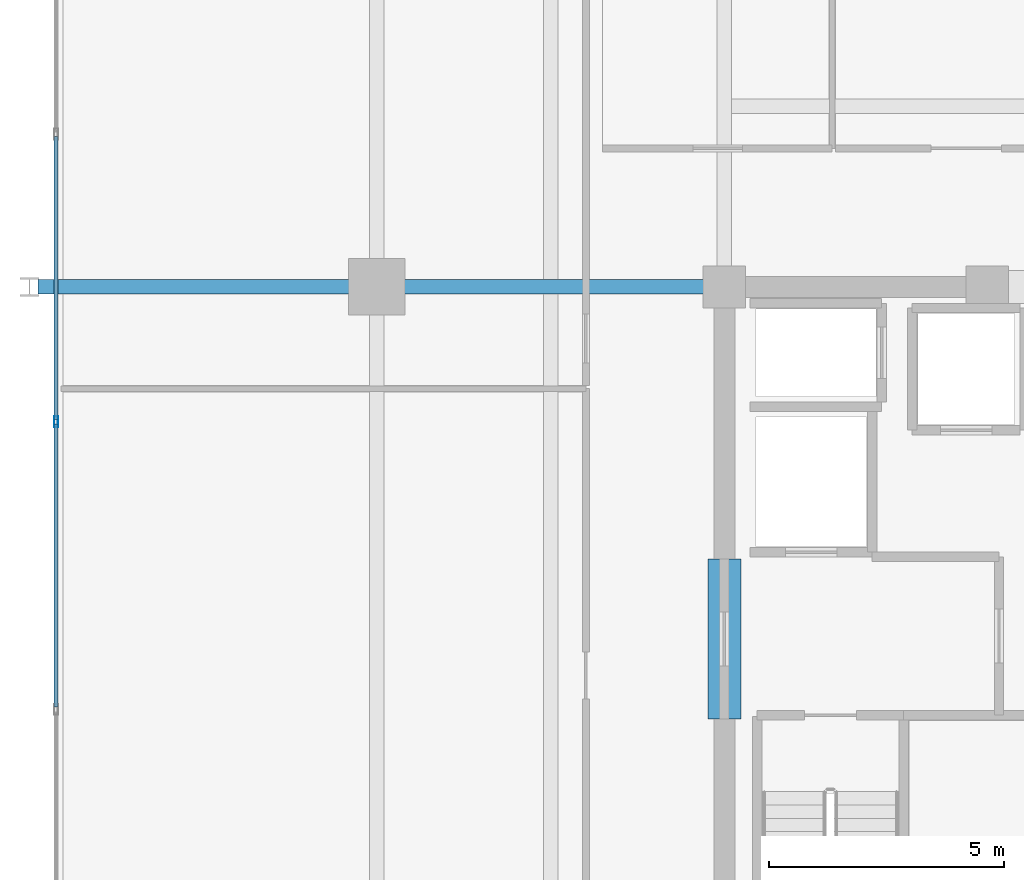
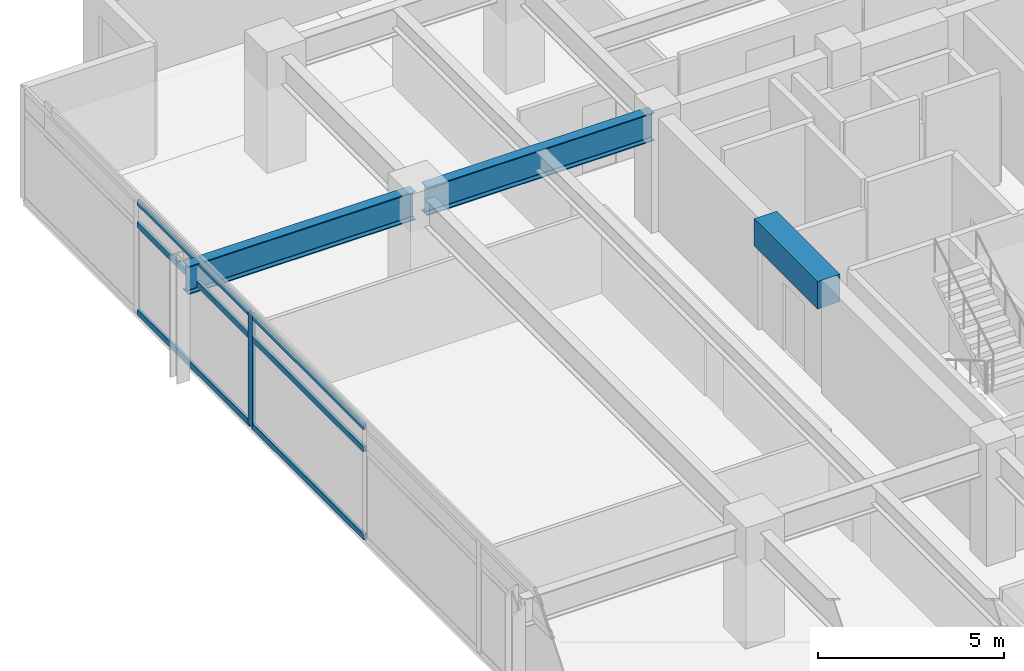
# One storey, part 7 of 20: 7 members, 3 beams, 1 element without a shape of its own.
"""IFC4 building model written with IfcOpenShell, lengths in metres."""

from ifc_helpers import new_model, si_unit, direction, frame, origin, origin_2d, place, context, subcontext, project, spatial, rectangle, hollow_rectangle, i_section, extrude, material, material_profile, profile_set, type_object, element, aggregate, save


model = new_model("IFC4")

# Units and contexts
model_context = context("Model", 3, precision=1e-05, world=origin(), true_north=direction((0.0, 1.0)))
body_context = subcontext(model_context, "Body", "Model", "MODEL_VIEW")
ifc_project = project(units=[si_unit("LENGTHUNIT", "METRE"), si_unit("AREAUNIT", "SQUARE_METRE"), si_unit("VOLUMEUNIT", "CUBIC_METRE"), si_unit("PLANEANGLEUNIT", "RADIAN"), si_unit("MASSUNIT", "GRAM", prefix="KILO")], contexts=[model_context])

# Site, building, storey
site_placement = place(None, origin())
site = spatial("IfcSite", under=ifc_project, at=site_placement, CompositionType="ELEMENT")
building_placement = place(site_placement, origin())
building = spatial("IfcBuilding", under=site, at=building_placement, Name="Kovane Verandah Tower", CompositionType="ELEMENT")
storey_placement = place(building_placement, frame((0.0, 0.0, 291.199951171875)))
storey = spatial("IfcBuildingStorey", under=building, at=storey_placement, Name="L68", CompositionType="ELEMENT", Elevation=291.199951171875)

# Beams
ifc_material_1 = material(Name="Concrete C60/75", Category="concrete")
ifc_material_profile_1 = material_profile(ifc_material_1, rectangle(XDim=0.699951171875, YDim=0.89990234375, at=origin_2d()), Name="RCB700x900")
ifc_profile_set_1 = profile_set([ifc_material_profile_1], Name="Concrete C60/75")
beam_type_1 = type_object("IfcBeamType", Name="BM-LINTEL-700x900", PredefinedType="LINTEL", material=ifc_profile_set_1)
beam_placement = place(storey_placement, frame((29.0, 27.300048828125, 3.25), z_axis=(0.0, 1.0, 0.0), x_axis=(-1.0, 0.0, 0.0)))
element("IfcBeam", 1, at=beam_placement, inside=storey, type_object=beam_type_1, Name="L68 Core Coupling Lintel CL-W", PredefinedType="LINTEL", context=body_context, shape_type="SweptSolid", body=[
    extrude(rectangle(XDim=0.699951171875, YDim=0.89990234375, at=origin_2d()), origin(), (0.0, 0.0, 1.0), 3.39990234375),
])
ifc_material_2 = material(Name="Steel S460", Category="steel")
ifc_material_profile_2 = material_profile(ifc_material_2, i_section(OverallWidth=0.3076171875, OverallDepth=0.926513671875, WebThickness=0.01953125, FlangeThickness=0.031982421875, FilletRadius=0.01904296875, at=origin_2d()), Name="UB914x305x289")
ifc_profile_set_2 = profile_set([ifc_material_profile_2], Name="Steel S460")
beam_type_2 = type_object("IfcBeamType", Name="BM-UB914x289", PredefinedType="BEAM", material=ifc_profile_set_2)
for number, where, z_axis, x_axis, name in (
    (2, (28.820068359375, 36.5, 3.23681640625), (-1.0, 0.0, 0.0), (0.0, -1.0, 0.0), "L68 Primary Tower Girder G-W2"),
    (3, (21.419921875, 36.5, 3.23681640625), (-1.0, 0.0, 0.0), (0.0, -1.0, 0.0), "L68 Primary Tower Girder G-VW2"),
):
    element("IfcBeam", number, at=place(storey_placement, frame(where, z_axis=z_axis, x_axis=x_axis)), inside=storey, type_object=beam_type_2, Name=name, PredefinedType="BEAM", context=body_context, shape_type="SweptSolid", body=[
        extrude(i_section(OverallWidth=0.3076171875, OverallDepth=0.926513671875, WebThickness=0.01953125, FlangeThickness=0.031982421875, FilletRadius=0.01904296875, at=origin_2d()), origin(), (0.0, 0.0, 1.0), 7.0400390625),
    ])

# Curtain wall, members
ifc_material_3 = material(Name="Champagne Anodised Aluminium Frame with Low-E Clear Laminated Glass", Category="aluminium")
curtain_wall_type = type_object("IfcCurtainWallType", Name="CW-SYS-05-HIGH", PredefinedType="NOTDEFINED", material=ifc_material_3)
curtain_wall_placement = place(storey_placement, origin())
curtain_wall = element("IfcCurtainWall", 4, at=curtain_wall_placement, inside=storey, type_object=curtain_wall_type, Name="L68 W Unitised Curtain Wall", PredefinedType="NOTDEFINED")
ifc_material_4 = material(Name="Champagne Anodised Aluminium 6063-T6", Category="aluminium")
ifc_material_profile_3 = material_profile(ifc_material_4, hollow_rectangle(XDim=0.0849609375, YDim=0.22998046875, WallThickness=0.00390625, at=origin_2d()), Name="AL85x230x4")
ifc_profile_set_3 = profile_set([ifc_material_profile_3], Name="Champagne Anodised Aluminium 6063-T6")
member_type_1 = type_object("IfcMemberType", Name="CW-MUL-85x230", PredefinedType="MULLION", material=ifc_profile_set_3)
member_1_placement = place(storey_placement, frame((14.768310546875, 33.626953125, 0.02001953125), z_axis=(0.0, 0.0, 1.0), x_axis=(-1.0, 0.0, 0.0)))
member_1 = element("IfcMember", 5, at=member_1_placement, type_object=member_type_1, Name="L68 W Unitised Curtain Wall Mullion 3", PredefinedType="MULLION", context=body_context, shape_type="SweptSolid", body=[
    extrude(hollow_rectangle(XDim=0.0849609375, YDim=0.22998046875, WallThickness=0.00390625, at=origin_2d()), origin(), (0.0, 0.0, 1.0), 3.659912109375),
])
ifc_material_profile_4 = material_profile(ifc_material_4, hollow_rectangle(XDim=0.0849609375, YDim=0.18994140625, WallThickness=0.00390625, at=origin_2d()), Name="AL85x190x4")
ifc_profile_set_4 = profile_set([ifc_material_profile_4], Name="Champagne Anodised Aluminium 6063-T6")
member_type_2 = type_object("IfcMemberType", Name="CW-TRN-85x190", PredefinedType="USERDEFINED", material=ifc_profile_set_4)
member_2_placement = place(storey_placement, frame((14.768310546875, 39.70361328125, 0.050048828125), z_axis=(0.0, -1.0, 0.0), x_axis=(1.0, 0.0, 0.0)))
member_2 = element("IfcMember", 6, at=member_2_placement, type_object=member_type_2, Name="L68 W Unitised Curtain Wall Transom TB Bay 2", ObjectType="TRANSOM", PredefinedType="USERDEFINED", context=body_context, shape_type="SweptSolid", body=[
    extrude(hollow_rectangle(XDim=0.0849609375, YDim=0.18994140625, WallThickness=0.00390625, at=origin_2d()), origin(), (0.0, 0.0, 1.0), 6.026611328125),
])
member_3_placement = place(storey_placement, frame((14.768310546875, 39.70361328125, 2.920166015625), z_axis=(0.0, -1.0, 0.0), x_axis=(1.0, 0.0, 0.0)))
member_3 = element("IfcMember", 7, at=member_3_placement, type_object=member_type_2, Name="L68 W Unitised Curtain Wall Transom TM Bay 2", ObjectType="TRANSOM", PredefinedType="USERDEFINED", context=body_context, shape_type="SweptSolid", body=[
    extrude(hollow_rectangle(XDim=0.0849609375, YDim=0.18994140625, WallThickness=0.00390625, at=origin_2d()), origin(), (0.0, 0.0, 1.0), 6.026611328125),
])
member_4_placement = place(storey_placement, frame((14.768310546875, 39.70361328125, 3.650146484375), z_axis=(0.0, -1.0, 0.0), x_axis=(1.0, 0.0, 0.0)))
member_4 = element("IfcMember", 8, at=member_4_placement, type_object=member_type_2, Name="L68 W Unitised Curtain Wall Transom TT Bay 2", ObjectType="TRANSOM", PredefinedType="USERDEFINED", context=body_context, shape_type="SweptSolid", body=[
    extrude(hollow_rectangle(XDim=0.0849609375, YDim=0.18994140625, WallThickness=0.00390625, at=origin_2d()), origin(), (0.0, 0.0, 1.0), 6.026611328125),
])
member_5_placement = place(storey_placement, frame((14.768310546875, 33.576904296875, 0.050048828125), z_axis=(0.0, -1.0, 0.0), x_axis=(1.0, 0.0, 0.0)))
member_5 = element("IfcMember", 9, at=member_5_placement, type_object=member_type_2, Name="L68 W Unitised Curtain Wall Transom TB Bay 3", ObjectType="TRANSOM", PredefinedType="USERDEFINED", context=body_context, shape_type="SweptSolid", body=[
    extrude(hollow_rectangle(XDim=0.0849609375, YDim=0.18994140625, WallThickness=0.00390625, at=origin_2d()), origin(), (0.0, 0.0, 1.0), 6.02685546875),
])
member_6_placement = place(storey_placement, frame((14.768310546875, 33.576904296875, 2.920166015625), z_axis=(0.0, -1.0, 0.0), x_axis=(1.0, 0.0, 0.0)))
member_6 = element("IfcMember", 10, at=member_6_placement, type_object=member_type_2, Name="L68 W Unitised Curtain Wall Transom TM Bay 3", ObjectType="TRANSOM", PredefinedType="USERDEFINED", context=body_context, shape_type="SweptSolid", body=[
    extrude(hollow_rectangle(XDim=0.0849609375, YDim=0.18994140625, WallThickness=0.00390625, at=origin_2d()), origin(), (0.0, 0.0, 1.0), 6.02685546875),
])
member_7_placement = place(storey_placement, frame((14.768310546875, 33.576904296875, 3.650146484375), z_axis=(0.0, -1.0, 0.0), x_axis=(1.0, 0.0, 0.0)))
member_7 = element("IfcMember", 11, at=member_7_placement, type_object=member_type_2, Name="L68 W Unitised Curtain Wall Transom TT Bay 3", ObjectType="TRANSOM", PredefinedType="USERDEFINED", context=body_context, shape_type="SweptSolid", body=[
    extrude(hollow_rectangle(XDim=0.0849609375, YDim=0.18994140625, WallThickness=0.00390625, at=origin_2d()), origin(), (0.0, 0.0, 1.0), 6.02685546875),
])
aggregate(curtain_wall, [member_1, member_2, member_3, member_4, member_5, member_6, member_7])

save(model, "model.ifc")
